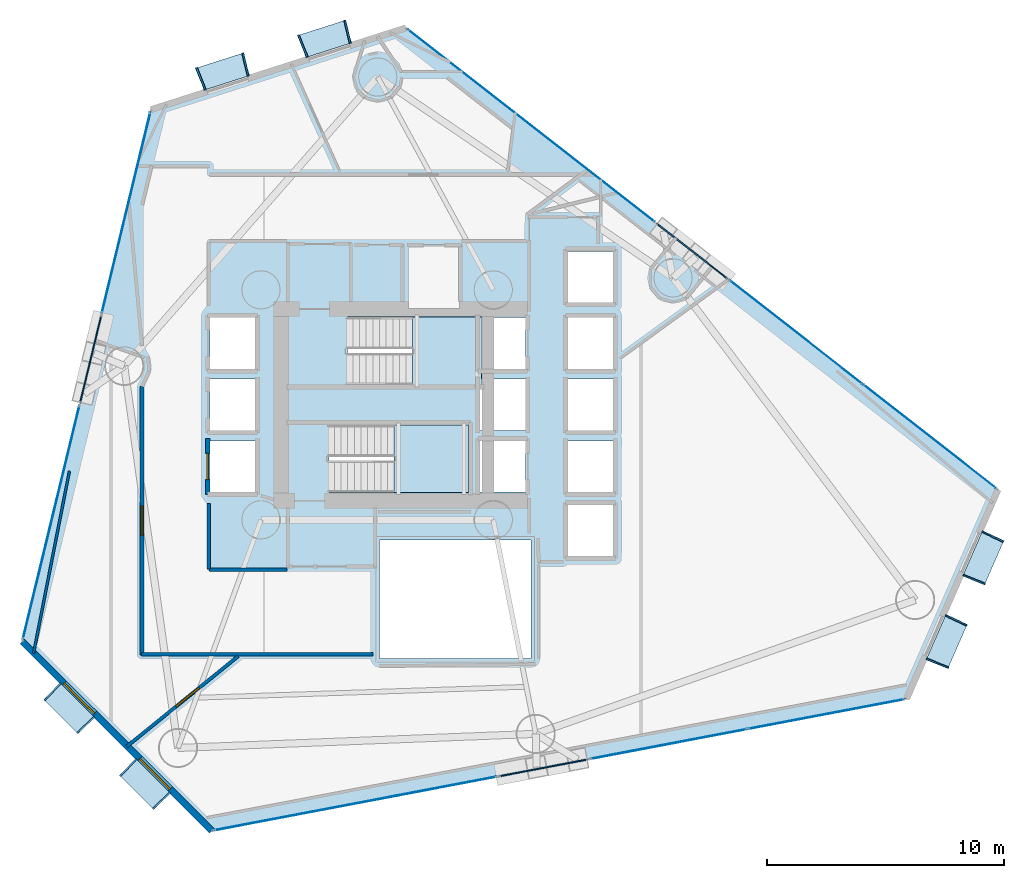
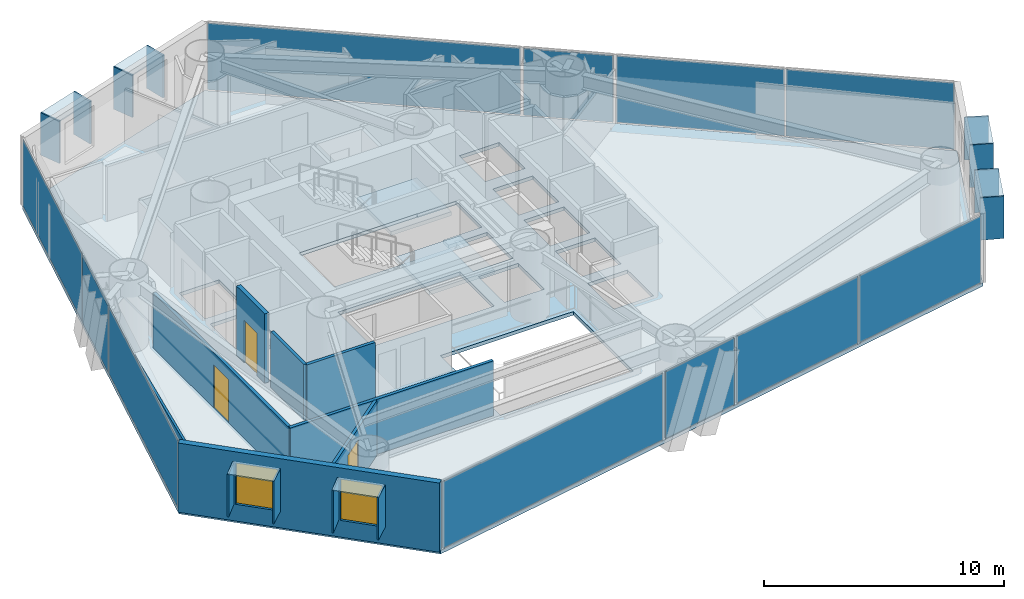
# One storey, part 16 of 23: 29 plates, 8 walls, 3 doors, 3 slabs, 2 windows, 5 openings, 11 elements without a shape of their own.
"""IFC4 building model written with IfcOpenShell, lengths in metres."""

from ifc_helpers import new_model, si_unit, direction, frame, frame_2d, origin, origin_2d, place, context, subcontext, project, spatial, polyline, rectangle, outline, extrude, material, layer, layer_set, type_object, element, fill, aggregate, save


model = new_model("IFC4")

# Units and contexts
model_context = context("Model", 3, precision=1e-05, world=origin(), true_north=direction((0.0, 1.0)))
body_context = subcontext(model_context, "Body", "Model", "MODEL_VIEW")
ifc_project = project(units=[si_unit("LENGTHUNIT", "METRE"), si_unit("AREAUNIT", "SQUARE_METRE"), si_unit("VOLUMEUNIT", "CUBIC_METRE"), si_unit("PLANEANGLEUNIT", "RADIAN"), si_unit("MASSUNIT", "GRAM", prefix="KILO")], contexts=[model_context])

# Site, building, storey
site_placement = place(None, origin())
site = spatial("IfcSite", under=ifc_project, at=site_placement, CompositionType="ELEMENT")
building_placement = place(site_placement, origin())
building = spatial("IfcBuilding", under=site, at=building_placement, Name="Qianvela Tower", CompositionType="ELEMENT")
storey_placement = place(building_placement, frame((0.0, 0.0, 85.800048828125)))
storey = spatial("IfcBuildingStorey", under=building, at=storey_placement, Name="L21", CompositionType="ELEMENT", Elevation=85.800048828125)

# Curtain wall, plate
ifc_material_1 = material(Name="Anodised Architectural Aluminium and Insulated Spandrel Panel", Category="aluminium")
ifc_layer_1 = layer(ifc_material_1, 0.179931640625)
ifc_layer_set_1 = layer_set([ifc_layer_1], Name="Anodised Architectural Aluminium and Insulated Spandrel Panel")
curtain_wall_type_1 = type_object("IfcCurtainWallType", Name="CW-BRACEBAY", PredefinedType="USERDEFINED", material=ifc_layer_set_1)
curtain_wall_1_placement = place(storey_placement, origin())
curtain_wall_1 = element("IfcCurtainWall", 1, at=curtain_wall_1_placement, inside=storey, type_object=curtain_wall_type_1, Name="L21 CW-BRACEBAY Curtain Wall 02B", ObjectType="CURTAIN_WALL_SYSTEM", PredefinedType="USERDEFINED")
ifc_material_2 = material(Name="Insulated Aluminium Spandrel Panel with Mineral-Wool Backpan", Category="aluminium")
ifc_layer_2 = layer(ifc_material_2, 0.06005859375)
ifc_layer_set_2 = layer_set([ifc_layer_2], Name="Insulated Aluminium Spandrel Panel with Mineral-Wool Backpan")
plate_type_1 = type_object("IfcPlateType", Name="CW-BRACEBAY-PNL", PredefinedType="CURTAIN_PANEL", material=ifc_layer_set_2)
plate_1_placement = place(storey_placement, frame((46.791015625, 35.18359375, 0.06494140625), z_axis=(0.0, 0.0, 1.0), x_axis=(-0.788521704, 0.615006928678, 0.0)))
plate_1 = element("IfcPlate", 2, at=plate_1_placement, type_object=plate_type_1, Name="CW-9 panel 1.1", PredefinedType="CURTAIN_PANEL", context=body_context, shape_type="SweptSolid", body=[
    extrude(rectangle(XDim=3.77001953125, YDim=0.06005859375, at=origin_2d()), origin(), (0.0, 0.0, 1.0), 3.389892578125),
])
aggregate(curtain_wall_1, [plate_1])

curtain_wall_2_placement = place(storey_placement, origin())
curtain_wall_2 = element("IfcCurtainWall", 3, at=curtain_wall_2_placement, inside=storey, type_object=curtain_wall_type_1, Name="L21 CW-BRACEBAY Curtain Wall 04B", ObjectType="CURTAIN_WALL_SYSTEM", PredefinedType="USERDEFINED")
plate_2_placement = place(storey_placement, frame((21.413818359375, 30.624755859375, 0.06494140625), z_axis=(0.0, 0.0, 1.0), x_axis=(-0.235125921195, -0.97196491767, 0.0)))
plate_2 = element("IfcPlate", 4, at=plate_2_placement, type_object=plate_type_1, Name="CW-9 panel 1.1", PredefinedType="CURTAIN_PANEL", context=body_context, shape_type="SweptSolid", body=[
    extrude(rectangle(XDim=3.77001953125, YDim=0.06005859375, at=origin_2d()), origin(), (0.0, 0.0, 1.0), 3.389892578125),
])
aggregate(curtain_wall_2, [plate_2])

curtain_wall_3_placement = place(storey_placement, origin())
curtain_wall_3 = element("IfcCurtainWall", 5, at=curtain_wall_3_placement, inside=storey, type_object=curtain_wall_type_1, Name="L21 CW-BRACEBAY Curtain Wall 06B", ObjectType="CURTAIN_WALL_SYSTEM", PredefinedType="USERDEFINED")
plate_3_placement = place(storey_placement, frame((40.51611328125, 13.3857421875, 0.06494140625), z_axis=(0.0, 0.0, 1.0), x_axis=(0.982440722539, 0.186574989474, 0.0)))
plate_3 = element("IfcPlate", 6, at=plate_3_placement, type_object=plate_type_1, Name="CW-9 panel 1.1", PredefinedType="CURTAIN_PANEL", context=body_context, shape_type="SweptSolid", body=[
    extrude(rectangle(XDim=3.780029296875, YDim=0.06005859375, at=origin_2d()), origin(), (0.0, 0.0, 1.0), 3.389892578125),
])
aggregate(curtain_wall_3, [plate_3])

# Curtain wall, plates
ifc_material_3 = material(Name="Anodised Architectural Aluminium and Low-E Glass", Category="aluminium")
ifc_layer_3 = layer(ifc_material_3, 0.179931640625)
ifc_layer_set_3 = layer_set([ifc_layer_3], Name="Anodised Architectural Aluminium and Low-E Glass")
curtain_wall_type_2 = type_object("IfcCurtainWallType", Name="CW-COLIV-Z12", PredefinedType="USERDEFINED", material=ifc_layer_set_3)
curtain_wall_4_placement = place(storey_placement, origin())
curtain_wall_4 = element("IfcCurtainWall", 7, at=curtain_wall_4_placement, inside=storey, type_object=curtain_wall_type_2, Name="L21 CW-COLIV-Z12 Curtain Wall 02A", ObjectType="CURTAIN_WALL_SYSTEM", PredefinedType="USERDEFINED")
ifc_material_4 = material(Name="Double-Silver Low-E Insulated Glass", Category="glass")
ifc_layer_4 = layer(ifc_material_4, 0.030029296875)
ifc_layer_set_4 = layer_set([ifc_layer_4], Name="Double-Silver Low-E Insulated Glass")
plate_type_2 = type_object("IfcPlateType", Name="CW-COLIV-Z12-PNL", PredefinedType="CURTAIN_PANEL", material=ifc_layer_set_4)
plate_4_placement = place(storey_placement, frame((56.80712890625, 27.371337890625, 0.06494140625), z_axis=(0.0, 0.0, 1.0), x_axis=(-0.788516422153, 0.615013700656, 0.0)))
plate_4 = element("IfcPlate", 8, at=plate_4_placement, type_object=plate_type_2, Name="CW-3 panel 1.1", PredefinedType="CURTAIN_PANEL", context=body_context, shape_type="SweptSolid", body=[
    extrude(rectangle(XDim=7.074951171875, YDim=0.030029296875, at=origin_2d()), origin(), (0.0, 0.0, 1.0), 3.389892578125),
])
plate_5_placement = place(storey_placement, frame((51.17333984375, 31.765625, 0.06494140625), z_axis=(0.0, 0.0, 1.0), x_axis=(-0.788516422153, 0.615013700656, 0.0)))
plate_5 = element("IfcPlate", 9, at=plate_5_placement, type_object=plate_type_2, Name="CW-3 panel 2.1", PredefinedType="CURTAIN_PANEL", context=body_context, shape_type="SweptSolid", body=[
    extrude(rectangle(XDim=7.074951171875, YDim=0.030029296875, at=origin_2d()), origin(), (0.0, 0.0, 1.0), 3.389892578125),
])
aggregate(curtain_wall_4, [plate_4, plate_5])

# Curtain wall, plate
curtain_wall_5_placement = place(storey_placement, origin())
curtain_wall_5 = element("IfcCurtainWall", 10, at=curtain_wall_5_placement, inside=storey, type_object=curtain_wall_type_2, Name="L21 CW-COLIV-Z12 Curtain Wall 02C", ObjectType="CURTAIN_WALL_SYSTEM", PredefinedType="USERDEFINED")
plate_6_placement = place(storey_placement, frame((40.00439453125, 40.476806640625, 0.06494140625), z_axis=(0.0, 0.0, 1.0), x_axis=(-0.788518332975, 0.61501125076, 0.0)))
plate_6 = element("IfcPlate", 11, at=plate_6_placement, type_object=plate_type_2, Name="CW-3 panel 1.1", PredefinedType="CURTAIN_PANEL", context=body_context, shape_type="SweptSolid", body=[
    extrude(rectangle(XDim=13.173583984375, YDim=0.030029296875, at=origin_2d()), origin(), (0.0, 0.0, 1.0), 3.389892578125),
])
aggregate(curtain_wall_5, [plate_6])

curtain_wall_6_placement = place(storey_placement, origin())
curtain_wall_6 = element("IfcCurtainWall", 12, at=curtain_wall_6_placement, inside=storey, type_object=curtain_wall_type_2, Name="L21 CW-COLIV-Z12 Curtain Wall 04A", ObjectType="CURTAIN_WALL_SYSTEM", PredefinedType="USERDEFINED")
plate_7_placement = place(storey_placement, frame((22.910400390625, 36.811279296875, 0.06494140625), z_axis=(0.0, 0.0, 1.0), x_axis=(-0.235141997968, -0.971961028432, 0.0)))
plate_7 = element("IfcPlate", 13, at=plate_7_placement, type_object=plate_type_2, Name="CW-3 panel 1.1", PredefinedType="CURTAIN_PANEL", context=body_context, shape_type="SweptSolid", body=[
    extrude(rectangle(XDim=8.68994140625, YDim=0.030029296875, at=origin_2d()), origin(), (0.0, 0.0, 1.0), 3.389892578125),
])
aggregate(curtain_wall_6, [plate_7])

curtain_wall_7_placement = place(storey_placement, origin())
curtain_wall_7 = element("IfcCurtainWall", 14, at=curtain_wall_7_placement, inside=storey, type_object=curtain_wall_type_2, Name="L21 CW-COLIV-Z12 Curtain Wall 04C", ObjectType="CURTAIN_WALL_SYSTEM", PredefinedType="USERDEFINED")
plate_8_placement = place(storey_placement, frame((19.74951171875, 23.74560546875, 0.06494140625), z_axis=(0.0, 0.0, 1.0), x_axis=(-0.235138389877, -0.971961901314, 0.0)))
plate_8 = element("IfcPlate", 15, at=plate_8_placement, type_object=plate_type_2, Name="CW-3 panel 1.1", PredefinedType="CURTAIN_PANEL", context=body_context, shape_type="SweptSolid", body=[
    extrude(rectangle(XDim=10.115234375, YDim=0.030029296875, at=origin_2d()), origin(), (0.0, 0.0, 1.0), 3.389892578125),
])
aggregate(curtain_wall_7, [plate_8])

curtain_wall_8_placement = place(storey_placement, origin())
curtain_wall_8 = element("IfcCurtainWall", 16, at=curtain_wall_8_placement, inside=storey, type_object=curtain_wall_type_2, Name="L21 CW-COLIV-Z12 Curtain Wall 06A", ObjectType="CURTAIN_WALL_SYSTEM", PredefinedType="USERDEFINED")
plate_9_placement = place(storey_placement, frame((32.582763671875, 11.879150390625, 0.06494140625), z_axis=(0.0, 0.0, 1.0), x_axis=(0.982440463831, 0.186576351738, 0.0)))
plate_9 = element("IfcPlate", 17, at=plate_9_placement, type_object=plate_type_2, Name="CW-3 panel 1.1", PredefinedType="CURTAIN_PANEL", context=body_context, shape_type="SweptSolid", body=[
    extrude(rectangle(XDim=12.10009765625, YDim=0.030029296875, at=origin_2d()), origin(), (0.0, 0.0, 1.0), 3.389892578125),
])
aggregate(curtain_wall_8, [plate_9])

# Curtain wall, plates
curtain_wall_9_placement = place(storey_placement, origin())
curtain_wall_9 = element("IfcCurtainWall", 18, at=curtain_wall_9_placement, inside=storey, type_object=curtain_wall_type_2, Name="L21 CW-COLIV-Z12 Curtain Wall 06C", ObjectType="CURTAIN_WALL_SYSTEM", PredefinedType="USERDEFINED")
plate_10_placement = place(storey_placement, frame((45.7900390625, 14.38720703125, 0.06494140625), z_axis=(0.0, 0.0, 1.0), x_axis=(0.982439528973, 0.186581274279, 0.0)))
plate_10 = element("IfcPlate", 19, at=plate_10_placement, type_object=plate_type_2, Name="CW-3 panel 1.1", PredefinedType="CURTAIN_PANEL", context=body_context, shape_type="SweptSolid", body=[
    extrude(rectangle(XDim=6.6865234375, YDim=0.030029296875, at=origin_2d()), origin(), (0.0, 0.0, 1.0), 3.389892578125),
])
plate_11_placement = place(storey_placement, frame((52.427734375, 15.64794921875, 0.06494140625), z_axis=(0.0, 0.0, 1.0), x_axis=(0.982439528973, 0.186581274279, 0.0)))
plate_11 = element("IfcPlate", 20, at=plate_11_placement, type_object=plate_type_2, Name="CW-3 panel 2.1", PredefinedType="CURTAIN_PANEL", context=body_context, shape_type="SweptSolid", body=[
    extrude(rectangle(XDim=6.6865234375, YDim=0.030029296875, at=origin_2d()), origin(), (0.0, 0.0, 1.0), 3.389892578125),
])
aggregate(curtain_wall_9, [plate_10, plate_11])

# Slab
ifc_material_5 = material(Name="Concrete C40", Category="concrete")
ifc_layer_5 = layer(ifc_material_5, 0.179931640625)
ifc_layer_set_5 = layer_set([ifc_layer_5], Name="Concrete C40")
slab_type_1 = type_object("IfcSlabType", Name="SL-FLOOR-180", PredefinedType="FLOOR", material=ifc_layer_set_5)
slab_1_placement = place(storey_placement, frame((0.0, 0.0, -0.179931640625)))
element("IfcSlab", 21, at=slab_1_placement, inside=storey, type_object=slab_type_1, Name="L21 Composite Structural Floor Slab", PredefinedType="FLOOR", context=body_context, shape_type="SweptSolid", body=[
    extrude(outline(polyline([(55.830078125, 16.2939453125), (59.691162109375, 25.121826171875), (34.716064453125, 44.6015625), (23.96044921875, 41.151123046875), (18.531982421875, 18.713134765625), (26.521240234375, 10.727783203125), (55.830078125, 16.2939453125)]), holes=[polyline([(40.0, 23.0), (33.60009765625, 23.0), (33.60009765625, 18.0), (40.0, 18.0), (40.0, 23.0)]), polyline([(28.360107421875, 25.02001953125), (28.360107421875, 27.179931640625), (26.43994140625, 27.179931640625), (26.43994140625, 25.02001953125), (28.360107421875, 25.02001953125)]), polyline([(37.35009765625, 25.0), (37.35009765625, 27.860107421875), (31.469970703125, 27.860107421875), (31.469970703125, 25.0), (37.35009765625, 25.0)]), polyline([(28.360107421875, 27.6201171875), (28.360107421875, 29.780029296875), (26.43994140625, 29.780029296875), (26.43994140625, 27.6201171875), (28.360107421875, 27.6201171875)]), polyline([(37.89990234375, 32.3798828125), (37.89990234375, 32.39990234375), (32.25, 32.39990234375), (32.25, 29.5400390625), (37.840087890625, 29.5400390625), (37.840087890625, 27.6201171875), (39.760009765625, 27.6201171875), (39.760009765625, 29.780029296875), (37.89990234375, 29.780029296875), (37.89990234375, 30.219970703125), (39.760009765625, 30.219970703125), (39.760009765625, 32.3798828125), (37.89990234375, 32.3798828125)]), polyline([(28.360107421875, 30.219970703125), (28.360107421875, 32.3798828125), (26.43994140625, 32.3798828125), (26.43994140625, 30.219970703125), (28.360107421875, 30.219970703125)]), polyline([(43.4599609375, 24.47998046875), (41.5400390625, 24.47998046875), (41.5400390625, 22.320068359375), (43.4599609375, 22.320068359375), (43.4599609375, 24.47998046875)]), polyline([(39.760009765625, 25.02001953125), (39.760009765625, 27.179931640625), (37.840087890625, 27.179931640625), (37.840087890625, 25.02001953125), (39.760009765625, 25.02001953125)]), polyline([(43.4599609375, 25.02001953125), (43.4599609375, 27.179931640625), (41.5400390625, 27.179931640625), (41.5400390625, 25.02001953125), (43.4599609375, 25.02001953125)]), polyline([(43.4599609375, 27.6201171875), (43.4599609375, 29.780029296875), (41.5400390625, 29.780029296875), (41.5400390625, 27.6201171875), (43.4599609375, 27.6201171875)]), polyline([(43.4599609375, 30.219970703125), (43.4599609375, 32.3798828125), (41.5400390625, 32.3798828125), (41.5400390625, 30.219970703125), (43.4599609375, 30.219970703125)]), polyline([(43.4599609375, 33.02001953125), (43.4599609375, 35.179931640625), (41.5400390625, 35.179931640625), (41.5400390625, 33.02001953125), (43.4599609375, 33.02001953125)])]), origin(), (0.0, 0.0, 1.0), 0.179931640625),
])

# Stair, slab
ifc_material_6 = material(Name="Concrete C40", Category="concrete")
stair_type = type_object("IfcStairType", Name="ST-DOGLEG-1350-R168-N22", PredefinedType="HALF_TURN_STAIR", material=ifc_material_6)
stair_1_placement = place(storey_placement, origin())
stair_1 = element("IfcStair", 22, at=stair_1_placement, inside=storey, type_object=stair_type, Name="L21 Smoke-Proof Core Stair ST-1", PredefinedType="HALF_TURN_STAIR")
ifc_material_7 = material(Name="Concrete C40", Category="concrete")
ifc_layer_6 = layer(ifc_material_7, 0.199951171875)
ifc_layer_set_6 = layer_set([ifc_layer_6], Name="Concrete C40")
slab_type_2 = type_object("IfcSlabType", Name="SL-STAIR-LANDING-200", PredefinedType="LANDING", material=ifc_layer_set_6)
slab_2_placement = place(storey_placement, frame((0.0, 0.0, 1.64990234375)))
slab_2 = element("IfcSlab", 23, at=slab_2_placement, type_object=slab_type_2, Name="ST-1 landing 1", PredefinedType="LANDING", context=body_context, shape_type="SweptSolid", body=[
    extrude(outline(polyline([(35.0, 29.5400390625), (37.89990234375, 29.5400390625), (37.89990234375, 32.39990234375), (35.0, 32.39990234375), (35.0, 29.5400390625)])), origin(), (0.0, 0.0, 1.0), 0.199951171875),
])
aggregate(stair_1, [slab_2])

stair_2_placement = place(storey_placement, origin())
stair_2 = element("IfcStair", 24, at=stair_2_placement, inside=storey, type_object=stair_type, Name="L21 Smoke-Proof Core Stair ST-2", PredefinedType="HALF_TURN_STAIR")
slab_3_placement = place(storey_placement, frame((0.0, 0.0, 1.64990234375)))
slab_3 = element("IfcSlab", 25, at=slab_3_placement, type_object=slab_type_2, Name="ST-2 landing 1", PredefinedType="LANDING", context=body_context, shape_type="SweptSolid", body=[
    extrude(outline(polyline([(34.219970703125, 25.0), (37.35009765625, 25.0), (37.35009765625, 27.860107421875), (34.219970703125, 27.860107421875), (34.219970703125, 25.0)])), origin(), (0.0, 0.0, 1.0), 0.199951171875),
])
aggregate(stair_2, [slab_3])

# Plates
ifc_material_8 = material(Name="Vitrified Architectural Terracotta Panel", Category="masonry")
ifc_layer_7 = layer(ifc_material_8, 0.06494140625)
ifc_layer_set_7 = layer_set([ifc_layer_7], Name="Vitrified Architectural Terracotta Panel")
plate_type_3 = type_object("IfcPlateType", Name="TERRACOTTA-SUNSHADE-HOOD-FOLD-B", PredefinedType="USERDEFINED", material=ifc_layer_set_7)
for number, where, z_axis, x_axis, name in (
    (26, (57.53369140625, 18.703857421875, 2.9599609375), (0.0, 0.0, 1.0), (0.400723248153, 0.916199147778, 0.0), "L21 Terracotta Sunshade Hood FOLD-B"),
    (27, (59.077880859375, 22.235107421875, 2.9599609375), (0.0, 0.0, 1.0), (0.400723248153, 0.916199147778, 0.0), "L21 Terracotta Sunshade Hood FOLD-B"),
    (28, (20.50830078125, 15.896728515625, 2.9599609375), (0.0, 0.0, 1.0), (0.707274603509, -0.706938919024, 0.0), "L21 Terracotta Sunshade Hood FOLD-B"),
    (29, (23.703857421875, 12.70263671875, 2.9599609375), (0.0, 0.0, 1.0), (0.707274603509, -0.706938919024, 0.0), "L21 Terracotta Sunshade Hood FOLD-B"),
):
    element("IfcPlate", number, at=place(storey_placement, frame(where, z_axis=z_axis, x_axis=x_axis)), inside=storey, type_object=plate_type_3, Name=name, ObjectType="SUNSHADE", PredefinedType="USERDEFINED", context=body_context, shape_type="SweptSolid", body=[
        extrude(rectangle(XDim=2.0400390625, YDim=0.989990234375, at=origin_2d()), origin(), (0.0, 0.0, 1.0), 0.06005859375),
    ])
ifc_material_9 = material(Name="Vitrified Architectural Terracotta Panel", Category="masonry")
ifc_layer_8 = layer(ifc_material_9, 0.074951171875)
ifc_layer_set_8 = layer_set([ifc_layer_8], Name="Vitrified Architectural Terracotta Panel")
plate_type_4 = type_object("IfcPlateType", Name="TERRACOTTA-SUNSHADE-HOOD-FOLD-D", PredefinedType="USERDEFINED", material=ifc_layer_set_8)
for number, where, z_axis, x_axis, name in (
    (30, (31.3076171875, 44.133056640625, 2.9599609375), (0.0, 0.0, 1.0), (-0.952203526638, -0.305464308649, 0.0), "L21 Terracotta Sunshade Hood FOLD-D"),
    (31, (27.00537109375, 42.7529296875, 2.9599609375), (0.0, 0.0, 1.0), (-0.952203526638, -0.305464308649, 0.0), "L21 Terracotta Sunshade Hood FOLD-D"),
):
    element("IfcPlate", number, at=place(storey_placement, frame(where, z_axis=z_axis, x_axis=x_axis)), inside=storey, type_object=plate_type_4, Name=name, ObjectType="SUNSHADE", PredefinedType="USERDEFINED", context=body_context, shape_type="SweptSolid", body=[
        extrude(rectangle(XDim=2.0400390625, YDim=0.989990234375, at=origin_2d()), origin(), (0.0, 0.0, 1.0), 0.06005859375),
    ])
ifc_material_10 = material(Name="Vitrified Architectural Terracotta Side Fin Panel", Category="masonry")
ifc_layer_9 = layer(ifc_material_10, 0.070068359375)
ifc_layer_set_9 = layer_set([ifc_layer_9], Name="Vitrified Architectural Terracotta Side Fin Panel")
plate_type_5 = type_object("IfcPlateType", Name="TERRACOTTA-SUNSHADE-STRUT-FOLD-B", PredefinedType="USERDEFINED", material=ifc_layer_set_9)
for number, where, z_axis, x_axis, name in (
    (32, (57.136962890625, 17.796875, 0.85009765625), (0.0, 0.0, 1.0), (0.37255698738, 0.928009316308, 0.0), "L21 Terracotta Sunshade Side Fin HL FOLD-B"),
    (33, (57.930419921875, 19.611083984375, 0.85009765625), (0.0, 0.0, 1.0), (0.428515706935, 0.903534331893, 0.0), "L21 Terracotta Sunshade Side Fin HR FOLD-B"),
    (34, (58.681396484375, 21.328125, 0.85009765625), (0.0, 0.0, 1.0), (0.37255698738, 0.928009316308, 0.0), "L21 Terracotta Sunshade Side Fin HL FOLD-B"),
    (35, (59.474609375, 23.14208984375, 0.85009765625), (0.0, 0.0, 1.0), (0.428515706935, 0.903534331893, 0.0), "L21 Terracotta Sunshade Side Fin HR FOLD-B"),
    (36, (19.80810546875, 16.5966796875, 0.85009765625), (0.0, 0.0, 1.0), (0.72853358767, -0.685010081412, 0.0), "L21 Terracotta Sunshade Side Fin HL FOLD-B"),
    (37, (21.20849609375, 15.197021484375, 0.85009765625), (0.0, 0.0, 1.0), (0.685355860636, -0.728208311056, 0.0), "L21 Terracotta Sunshade Side Fin HR FOLD-B"),
    (38, (23.003662109375, 13.402587890625, 0.85009765625), (0.0, 0.0, 1.0), (0.72853358767, -0.685010081412, 0.0), "L21 Terracotta Sunshade Side Fin HL FOLD-B"),
    (39, (24.404052734375, 12.002685546875, 0.85009765625), (0.0, 0.0, 1.0), (0.685355860636, -0.728208311056, 0.0), "L21 Terracotta Sunshade Side Fin HR FOLD-B"),
):
    element("IfcPlate", number, at=place(storey_placement, frame(where, z_axis=z_axis, x_axis=x_axis)), inside=storey, type_object=plate_type_5, Name=name, ObjectType="SUNSHADE", PredefinedType="USERDEFINED", context=body_context, shape_type="SweptSolid", body=[
        extrude(rectangle(XDim=0.070068359375, YDim=1.010009765625, at=origin_2d()), origin(), (0.0, 0.0, 1.0), 2.159912109375),
    ])
ifc_material_11 = material(Name="Vitrified Architectural Terracotta Side Fin Panel", Category="masonry")
ifc_layer_10 = layer(ifc_material_11, 0.080078125)
ifc_layer_set_10 = layer_set([ifc_layer_10], Name="Vitrified Architectural Terracotta Side Fin Panel")
plate_type_6 = type_object("IfcPlateType", Name="TERRACOTTA-SUNSHADE-STRUT-FOLD-D", PredefinedType="USERDEFINED", material=ifc_layer_set_10)
for number, where, z_axis, x_axis, name in (
    (40, (32.250244140625, 44.435546875, 0.85009765625), (0.0, 0.0, 1.0), (-0.972222641914, -0.234057972624, 0.0), "L21 Terracotta Sunshade Side Fin HL FOLD-D"),
    (41, (30.364990234375, 43.83056640625, 0.85009765625), (0.0, 0.0, 1.0), (-0.926947644469, -0.37519070406, 0.0), "L21 Terracotta Sunshade Side Fin HR FOLD-D"),
    (42, (27.947998046875, 43.055419921875, 0.85009765625), (0.0, 0.0, 1.0), (-0.972222641914, -0.234057972624, 0.0), "L21 Terracotta Sunshade Side Fin HL FOLD-D"),
    (43, (26.062744140625, 42.450439453125, 0.85009765625), (0.0, 0.0, 1.0), (-0.926947644469, -0.37519070406, 0.0), "L21 Terracotta Sunshade Side Fin HR FOLD-D"),
):
    element("IfcPlate", number, at=place(storey_placement, frame(where, z_axis=z_axis, x_axis=x_axis)), inside=storey, type_object=plate_type_6, Name=name, ObjectType="SUNSHADE", PredefinedType="USERDEFINED", context=body_context, shape_type="SweptSolid", body=[
        extrude(rectangle(XDim=0.080078125, YDim=1.010009765625, at=origin_2d()), origin(), (0.0, 0.0, 1.0), 2.159912109375),
    ])

# Wall, openings, windows
ifc_material_12 = material(Name="Terracotta Cladding on Concrete C40", Category="masonry")
ifc_layer_11 = layer(ifc_material_12, 0.280029296875)
ifc_layer_set_11 = layer_set([ifc_layer_11], Name="Terracotta Cladding on Concrete C40")
wall_type_1 = type_object("IfcWallType", Name="TERRACOTTA-WALL-280", PredefinedType="SOLIDWALL", material=ifc_layer_set_11)
wall_1_placement = place(storey_placement, frame((18.531982421875, 18.713134765625, 0.0), z_axis=(0.0, 0.0, 1.0), x_axis=(0.707279667922, -0.70693385217, 0.0)))
wall_1 = element("IfcWall", 44, at=wall_1_placement, inside=storey, type_object=wall_type_1, Name="L21 Terracotta Chamfer Facet Wall 5", PredefinedType="SOLIDWALL", context=body_context, shape_type="SweptSolid", body=[
    extrude(rectangle(XDim=11.295654296875, YDim=0.280029296875, at=frame_2d((5.64794921875, 0.0))), origin(), (0.0, 0.0, 1.0), 3.52001953125),
])
opening_1_placement = place(wall_1_placement, frame((2.48876953125, 0.0, 0.85009765625)))
opening_1 = element("IfcOpeningElement", 45, at=opening_1_placement, cuts=wall_1, Name="Opening W-01", PredefinedType="OPENING", context=body_context, shape_type="SweptSolid", body=[
    extrude(rectangle(XDim=1.800048828125, YDim=2.10009765625, at=frame_2d((0.89990234375, 1.050048828125))), frame((0.0, 0.14990234375, 0.0), z_axis=(0.0, -1.0, 0.0), x_axis=(1.0, 0.0, 0.0)), (0.0, 0.0, 1.0), 0.300048828125),
])
opening_2_placement = place(wall_1_placement, frame((7.0068359375, 0.0, 0.85009765625)))
opening_2 = element("IfcOpeningElement", 46, at=opening_2_placement, cuts=wall_1, Name="Opening W-01", PredefinedType="OPENING", context=body_context, shape_type="SweptSolid", body=[
    extrude(rectangle(XDim=1.800048828125, YDim=2.10009765625, at=frame_2d((0.89990234375, 1.050048828125))), frame((0.0, 0.14990234375, 0.0), z_axis=(0.0, -1.0, 0.0), x_axis=(1.0, 0.0, 0.0)), (0.0, 0.0, 1.0), 0.300048828125),
])
ifc_material_13 = material(Name="Thermally Broken Aluminium and Low-E Glass", Category="aluminium")
window_type = type_object("IfcWindowType", Name="WIN-TC-1800x2100", PartitioningType="DOUBLE_PANEL_VERTICAL", PredefinedType="WINDOW", material=ifc_material_13)
window_1_placement = place(opening_1_placement, origin())
window_1 = element("IfcWindow", 47, at=window_1_placement, inside=storey, type_object=window_type, Name="L21 Chamfer Facet Window 5.1", OverallHeight=2.10009765625, OverallWidth=1.800048828125, PartitioningType="SINGLE_PANEL", PredefinedType="WINDOW", context=body_context, shape_type="SweptSolid", body=[
    extrude(rectangle(XDim=1.800048828125, YDim=2.10009765625, at=frame_2d((0.89990234375, 1.050048828125))), frame((0.0, 0.030029296875, 0.0), z_axis=(0.0, -1.0, 0.0), x_axis=(1.0, 0.0, 0.0)), (0.0, 0.0, 1.0), 0.06005859375),
])
fill(opening_1, window_1)
window_2_placement = place(opening_2_placement, origin())
window_2 = element("IfcWindow", 48, at=window_2_placement, inside=storey, type_object=window_type, Name="L21 Chamfer Facet Window 5.2", OverallHeight=2.10009765625, OverallWidth=1.800048828125, PartitioningType="SINGLE_PANEL", PredefinedType="WINDOW", context=body_context, shape_type="SweptSolid", body=[
    extrude(rectangle(XDim=1.800048828125, YDim=2.10009765625, at=frame_2d((0.89990234375, 1.050048828125))), frame((0.0, 0.030029296875, 0.0), z_axis=(0.0, -1.0, 0.0), x_axis=(1.0, 0.0, 0.0)), (0.0, 0.0, 1.0), 0.06005859375),
])
fill(opening_2, window_2)

# Walls
ifc_material_14 = material(Name="Fire-Rated Acoustic Gypsum Board")
ifc_layer_12 = layer(ifc_material_14, 0.14990234375)
ifc_layer_set_12 = layer_set([ifc_layer_12], Name="Fire-Rated Acoustic Gypsum Board")
wall_type_2 = type_object("IfcWallType", Name="WT-CORR-150", PredefinedType="PARTITIONING", material=ifc_layer_set_12)
wall_2_placement = place(storey_placement, frame((26.388916015625, 24.530517578125, 0.0), z_axis=(0.0, 0.0, 1.0), x_axis=(0.0, -1.0, 0.0)))
element("IfcWall", 49, at=wall_2_placement, inside=storey, type_object=wall_type_2, Name="L21 Partition 48", PredefinedType="PARTITIONING", context=body_context, shape_type="SweptSolid", body=[
    extrude(rectangle(XDim=2.75048828125, YDim=0.14990234375, at=frame_2d((1.375244140625, 0.0))), origin(), (0.0, 0.0, 1.0), 2.83984375),
])
wall_3_placement = place(storey_placement, frame((26.419921875, 21.7490234375, 0.0), z_axis=(0.0, 0.0, 1.0), x_axis=(1.0, 0.0, 0.0)))
element("IfcWall", 50, at=wall_3_placement, inside=storey, type_object=wall_type_2, Name="L21 Partition 49 seg 1", PredefinedType="PARTITIONING", context=body_context, shape_type="SweptSolid", body=[
    extrude(rectangle(XDim=3.280029296875, YDim=0.14990234375, at=frame_2d((1.64013671875, 0.0))), origin(), (0.0, 0.0, 1.0), 2.83984375),
])
wall_4_placement = place(storey_placement, frame((33.320068359375, 18.180908203125, 0.0), z_axis=(0.0, 0.0, 1.0), x_axis=(-1.0, 0.0, 0.0)))
element("IfcWall", 51, at=wall_4_placement, inside=storey, type_object=wall_type_2, Name="L21 Partition 50", PredefinedType="PARTITIONING", context=body_context, shape_type="SweptSolid", body=[
    extrude(rectangle(XDim=9.77001953125, YDim=0.14990234375, at=frame_2d((4.885009765625, 0.0))), origin(), (0.0, 0.0, 1.0), 2.7978515625),
])

# Wall, opening, door
wall_5_placement = place(storey_placement, frame((23.5810546875, 18.14990234375, 0.0), z_axis=(0.0, 0.0, 1.0), x_axis=(0.0, 1.0, 0.0)))
wall_5 = element("IfcWall", 52, at=wall_5_placement, inside=storey, type_object=wall_type_2, Name="L21 Partition 51", PredefinedType="PARTITIONING", context=body_context, shape_type="SweptSolid", body=[
    extrude(rectangle(XDim=11.3330078125, YDim=0.14990234375, at=frame_2d((5.66650390625, 0.0))), origin(), (0.0, 0.0, 1.0), 2.7978515625),
])
opening_3_placement = place(wall_5_placement, frame((5.04150390625, 0.0, 0.0)))
opening_3 = element("IfcOpeningElement", 53, at=opening_3_placement, cuts=wall_5, Name="Opening D-LG1", PredefinedType="OPENING", context=body_context, shape_type="SweptSolid", body=[
    extrude(rectangle(XDim=1.25, YDim=2.199951171875, at=frame_2d((0.625, 1.10009765625))), frame((0.0, 0.0849609375, 0.0), z_axis=(0.0, -1.0, 0.0), x_axis=(1.0, 0.0, 0.0)), (0.0, 0.0, 1.0), 0.169921875),
])
ifc_material_15 = material(Name="Anodised Aluminium Acoustic Glass Door", Category="aluminium")
door_type_1 = type_object("IfcDoorType", Name="DT-LOUNGE-1250", OperationType="NOTDEFINED", PredefinedType="DOOR", material=ifc_material_15)
door_1_placement = place(opening_3_placement, origin())
door_1 = element("IfcDoor", 54, at=door_1_placement, inside=storey, type_object=door_type_1, Name="L21 Door Collaborative Co-working Office L21-01 to L21 Floor Corridor", OperationType="SINGLE_SWING_RIGHT", OverallHeight=2.199951171875, OverallWidth=1.25, PredefinedType="DOOR", context=body_context, shape_type="SweptSolid", body=[
    extrude(rectangle(XDim=1.25, YDim=2.199951171875, at=frame_2d((0.625, 1.10009765625))), frame((0.0, 0.02490234375, 0.0), z_axis=(0.0, -1.0, 0.0), x_axis=(1.0, 0.0, 0.0)), (0.0, 0.0, 1.0), 0.050048828125),
])
fill(opening_3, door_1)

# Wall
ifc_material_16 = material(Name="Lightweight Gypsum Room Partition")
ifc_layer_13 = layer(ifc_material_16, 0.10498046875)
ifc_layer_set_13 = layer_set([ifc_layer_13], Name="Lightweight Gypsum Room Partition")
wall_type_3 = type_object("IfcWallType", Name="WT-PART-105", PredefinedType="PARTITIONING", material=ifc_layer_set_13)
wall_6_placement = place(storey_placement, frame((19.004638671875, 18.216796875, 0.0), z_axis=(0.0, 0.0, 1.0), x_axis=(0.193233301583, 0.981152837819, 0.0)))
element("IfcWall", 55, at=wall_6_placement, inside=storey, type_object=wall_type_3, Name="L21 Partition 61 seg 1", PredefinedType="PARTITIONING", context=body_context, shape_type="SweptSolid", body=[
    extrude(rectangle(XDim=7.8359375, YDim=0.10498046875, at=frame_2d((3.91796875, 0.0))), origin(), (0.0, 0.0, 1.0), 2.83984375),
])

# Wall, opening, door
ifc_material_17 = material(Name="Acoustic Double Gypsum Stud Partition")
ifc_layer_14 = layer(ifc_material_17, 0.139892578125)
ifc_layer_set_14 = layer_set([ifc_layer_14], Name="Acoustic Double Gypsum Stud Partition")
wall_type_4 = type_object("IfcWallType", Name="WT-ROOM-140", PredefinedType="PARTITIONING", material=ifc_layer_set_14)
wall_7_placement = place(storey_placement, frame((27.630859375, 18.093994140625, 0.0), z_axis=(0.0, 0.0, 1.0), x_axis=(-0.776847018992, -0.629689375076, 0.0)))
wall_7 = element("IfcWall", 56, at=wall_7_placement, inside=storey, type_object=wall_type_4, Name="L21 Partition 59", PredefinedType="PARTITIONING", context=body_context, shape_type="SweptSolid", body=[
    extrude(rectangle(XDim=6.047119140625, YDim=0.139892578125, at=frame_2d((3.0234375, 0.0))), origin(), (0.0, 0.0, 1.0), 2.7978515625),
])
opening_4_placement = place(wall_7_placement, frame((2.11865234375, 0.0, 0.0)))
opening_4 = element("IfcOpeningElement", 57, at=opening_4_placement, cuts=wall_7, Name="Opening D-LG1", PredefinedType="OPENING", context=body_context, shape_type="SweptSolid", body=[
    extrude(rectangle(XDim=1.25, YDim=2.199951171875, at=frame_2d((0.625, 1.10009765625))), frame((0.0, 0.079833984375, 0.0), z_axis=(0.0, -1.0, 0.0), x_axis=(1.0, 0.0, 0.0)), (0.0, 0.0, 1.0), 0.159912109375),
])
door_2_placement = place(opening_4_placement, origin())
door_2 = element("IfcDoor", 58, at=door_2_placement, inside=storey, type_object=door_type_1, Name="L21 Door Quiet Desk Workspace L21-02 to Collaborative Co-working Office L21-01", OperationType="SINGLE_SWING_RIGHT", OverallHeight=2.199951171875, OverallWidth=1.25, PredefinedType="DOOR", context=body_context, shape_type="SweptSolid", body=[
    extrude(rectangle(XDim=1.25, YDim=2.199951171875, at=frame_2d((0.625, 1.10009765625))), frame((0.0, 0.02490234375, 0.0), z_axis=(0.0, -1.0, 0.0), x_axis=(1.0, 0.0, 0.0)), (0.0, 0.0, 1.0), 0.050048828125),
])
fill(opening_4, door_2)

ifc_material_18 = material(Name="Concrete C50", Category="concrete")
ifc_layer_15 = layer(ifc_material_18, 0.199951171875)
ifc_layer_set_15 = layer_set([ifc_layer_15], Name="Concrete C50")
wall_type_5 = type_object("IfcWallType", Name="WT-SHAFT-200", PredefinedType="SOLIDWALL", material=ifc_layer_set_15)
wall_8_placement = place(storey_placement, frame((26.35009765625, 24.919921875, 0.0), z_axis=(0.0, 0.0, 1.0), x_axis=(0.0, 1.0, 0.0)))
wall_8 = element("IfcWall", 59, at=wall_8_placement, inside=storey, type_object=wall_type_5, Name="L21 Lift PL-L3 W Shaft Wall", PredefinedType="SOLIDWALL", context=body_context, shape_type="SweptSolid", body=[
    extrude(rectangle(XDim=2.360107421875, YDim=0.199951171875, at=frame_2d((1.18017578125, 0.0))), origin(), (0.0, 0.0, 1.0), 3.52001953125),
])
opening_5_placement = place(wall_8_placement, frame((0.6298828125, 0.0, 0.0)))
opening_5 = element("IfcOpeningElement", 60, at=opening_5_placement, cuts=wall_8, Name="Opening LD-01", PredefinedType="OPENING", context=body_context, shape_type="SweptSolid", body=[
    extrude(rectangle(XDim=1.10009765625, YDim=2.14990234375, at=frame_2d((0.550048828125, 1.074951171875))), frame((0.0, 0.10986328125, 0.0), z_axis=(0.0, -1.0, 0.0), x_axis=(1.0, 0.0, 0.0)), (0.0, 0.0, 1.0), 0.219970703125),
])
ifc_material_19 = material(Name="Brushed Stainless Steel Lift Landing Door", Category="steel")
door_type_2 = type_object("IfcDoorType", Name="DT-LIFT-SLIDE-1100", OperationType="SLIDING_TO_LEFT", PredefinedType="DOOR", material=ifc_material_19)
door_3_placement = place(opening_5_placement, origin())
door_3 = element("IfcDoor", 61, at=door_3_placement, inside=storey, type_object=door_type_2, Name="L21 Lift PL-L3 Sliding Landing Door", OperationType="SLIDING_TO_LEFT", OverallHeight=2.14990234375, OverallWidth=1.10009765625, PredefinedType="DOOR", context=body_context, shape_type="SweptSolid", body=[
    extrude(rectangle(XDim=1.10009765625, YDim=2.14990234375, at=frame_2d((0.550048828125, 1.074951171875))), frame((0.0, 0.02490234375, 0.0), z_axis=(0.0, -1.0, 0.0), x_axis=(1.0, 0.0, 0.0)), (0.0, 0.0, 1.0), 0.050048828125),
])
fill(opening_5, door_3)

save(model, "model.ifc")
